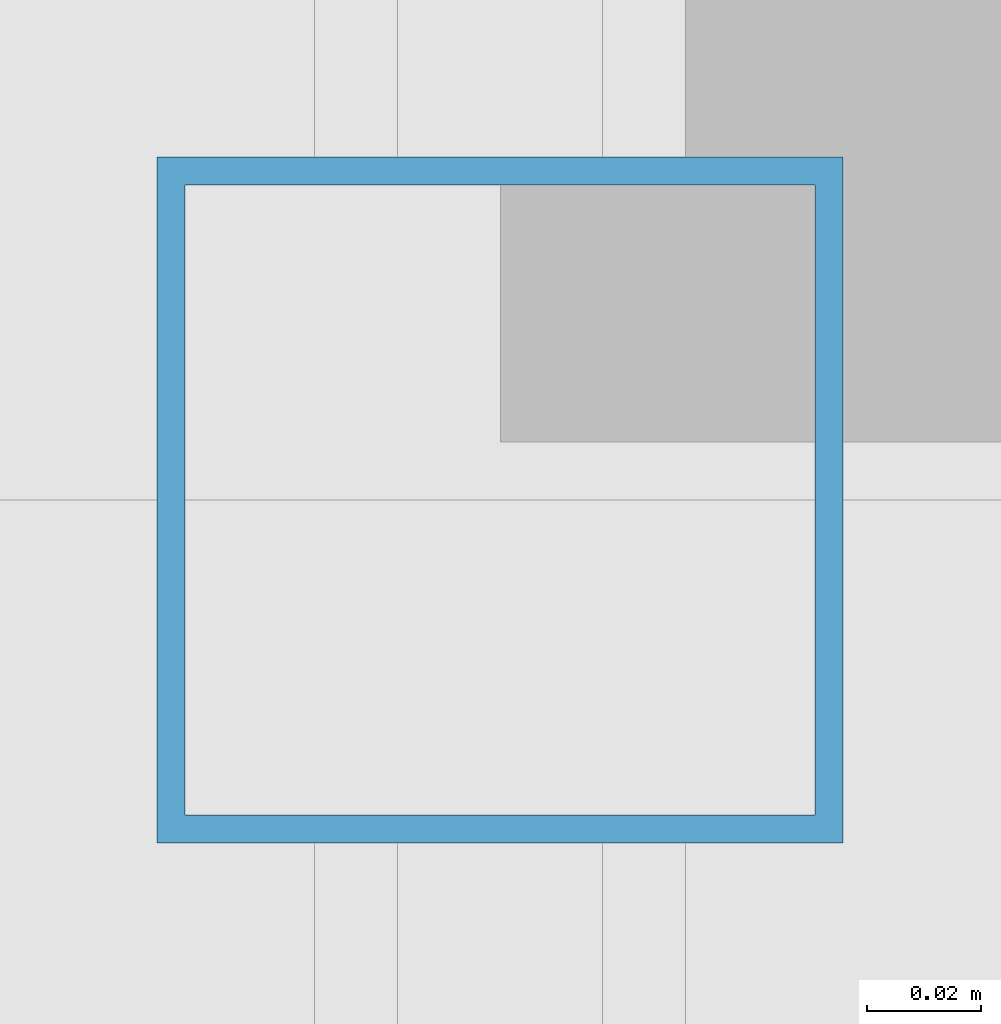
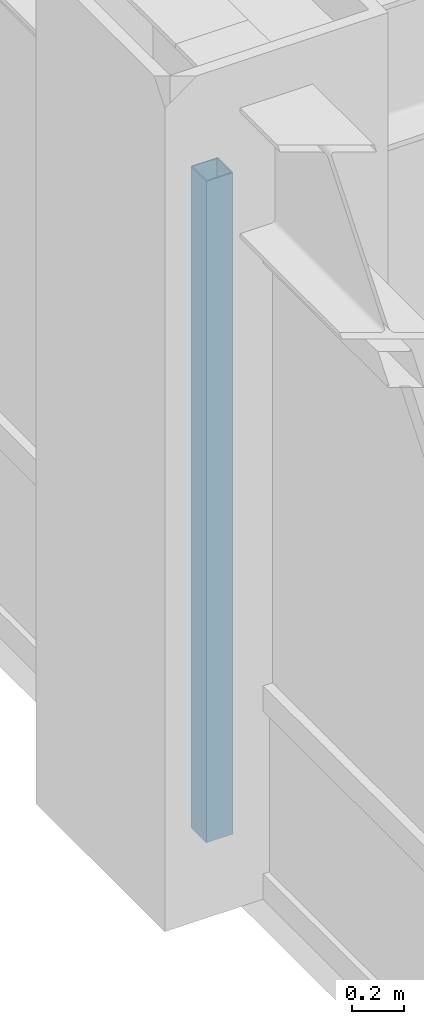
# One storey, part 6 of 25: 1 member, 1 element without a shape of its own.
"""IFC4 building model written with IfcOpenShell, lengths in metres."""

from ifc_helpers import new_model, si_unit, direction, frame, origin, origin_2d, place, context, subcontext, project, spatial, hollow_rectangle, extrude, source, transform, mapped, material, material_profile, profile_set, type_object, element, aggregate, save


model = new_model("IFC4")

# Units and contexts
model_context = context("Model", 3, precision=1e-05, world=origin(), true_north=direction((0.0, 1.0)))
body_context = subcontext(model_context, "Body", "Model", "MODEL_VIEW")
ifc_project = project(units=[si_unit("LENGTHUNIT", "METRE"), si_unit("AREAUNIT", "SQUARE_METRE"), si_unit("VOLUMEUNIT", "CUBIC_METRE"), si_unit("PLANEANGLEUNIT", "RADIAN"), si_unit("MASSUNIT", "GRAM", prefix="KILO")], contexts=[model_context])

# Site, building, storey
site_placement = place(None, origin())
site = spatial("IfcSite", under=ifc_project, at=site_placement, CompositionType="ELEMENT")
building_placement = place(site_placement, origin())
building = spatial("IfcBuilding", under=site, at=building_placement, Name="Khorayat Bourse Tower", CompositionType="ELEMENT")
storey_placement = place(building_placement, frame((0.0, 0.0, 231.10009765625)))
storey = spatial("IfcBuildingStorey", under=building, at=storey_placement, Name="L54", CompositionType="ELEMENT", Elevation=231.10009765625)

# Curtain wall, member
ifc_material = material(Name="Aluminium EN AW-6063 T6", Category="aluminium")
curtain_wall_type = type_object("IfcCurtainWallType", Name="CW-SYS-03", PredefinedType="NOTDEFINED", material=ifc_material)
curtain_wall_placement = place(storey_placement, origin())
curtain_wall = element("IfcCurtainWall", 1, at=curtain_wall_placement, inside=storey, type_object=curtain_wall_type, Name="L54 Curtain Wall CW-L54-W1", PredefinedType="NOTDEFINED")
ifc_material_profile = material_profile(ifc_material, hollow_rectangle(XDim=0.1201171875, YDim=0.1201171875, WallThickness=0.0048828125, at=origin_2d()), Name="ALU 120x120x5")
ifc_profile_set = profile_set([ifc_material_profile], Name="Aluminium EN AW-6063 T6")
member_type = type_object("IfcMemberType", Name="CWM-VERT-120", PredefinedType="MULLION", material=ifc_profile_set)
shared_shape = source(origin(), body_context, "Body", "SweptSolid", [
    extrude(hollow_rectangle(XDim=0.1201171875, YDim=0.1201171875, WallThickness=0.0048828125, at=origin_2d()), origin(), (0.0, 0.0, 1.0), 3.1298828125),
])
member_placement = place(storey_placement, frame((-30.0, 0.0, 0.0), z_axis=(0.0, 0.0, 1.0), x_axis=(-1.0, 0.0, 0.0)))
member = element("IfcMember", 2, at=member_placement, type_object=member_type, Name="CW-L54-W1 Vertical Mullion 2", PredefinedType="MULLION", context=body_context, shape_type="MappedRepresentation", body=[
    mapped(shared_shape, transform((0.0, 0.0, 0.0), scale=1.0)),
])
aggregate(curtain_wall, [member])

save(model, "model.ifc")
